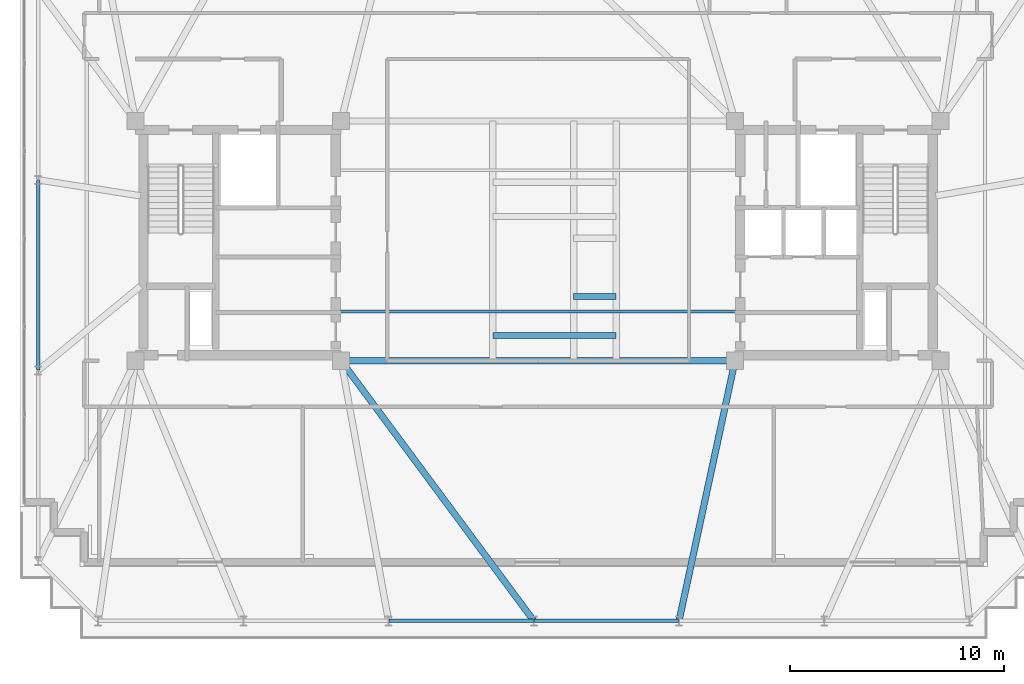
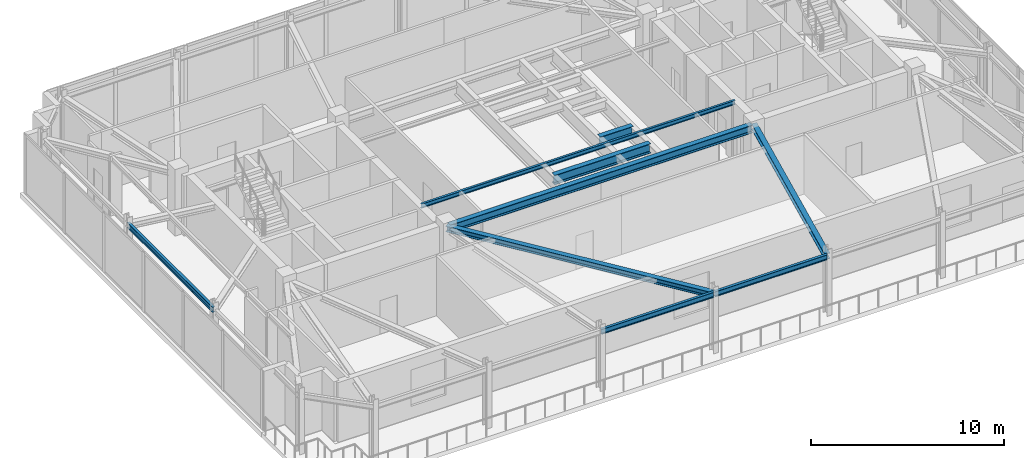
# One storey, part 7 of 24: 9 beams.
"""IFC4 building model written with IfcOpenShell, lengths in metres."""

from ifc_helpers import new_model, si_unit, direction, frame, origin, origin_2d, place, context, subcontext, project, spatial, i_section, extrude, material, material_profile, profile_set, type_object, element, save


model = new_model("IFC4")

# Units and contexts
model_context = context("Model", 3, precision=1e-05, world=origin(), true_north=direction((0.0, 1.0)))
body_context = subcontext(model_context, "Body", "Model", "MODEL_VIEW")
ifc_project = project(units=[si_unit("LENGTHUNIT", "METRE"), si_unit("AREAUNIT", "SQUARE_METRE"), si_unit("VOLUMEUNIT", "CUBIC_METRE"), si_unit("PLANEANGLEUNIT", "RADIAN"), si_unit("MASSUNIT", "GRAM", prefix="KILO")], contexts=[model_context])

# Site, building, storey
site_placement = place(None, origin())
site = spatial("IfcSite", under=ifc_project, at=site_placement, CompositionType="ELEMENT")
building_placement = place(site_placement, origin())
building = spatial("IfcBuilding", under=site, at=building_placement, Name="Qobustan Lattice House", CompositionType="ELEMENT")
storey_placement = place(building_placement, frame((0.0, 0.0, 261.800048828125)))
storey = spatial("IfcBuildingStorey", under=building, at=storey_placement, Name="L74", CompositionType="ELEMENT", Elevation=261.800048828125)

# Beams
ifc_material_1 = material(Name="Steel S355", Category="steel")
ifc_material_profile_1 = material_profile(ifc_material_1, i_section(OverallWidth=0.300048828125, OverallDepth=0.5, WebThickness=0.014404296875, FlangeThickness=0.028076171875, FilletRadius=0.027099609375, at=origin_2d()), Name="HEB500")
ifc_profile_set_1 = profile_set([ifc_material_profile_1], Name="Steel S355")
beam_type_1 = type_object("IfcBeamType", Name="BM-CG-HEB500", PredefinedType="USERDEFINED", material=ifc_profile_set_1)
beam_1_placement = place(storey_placement, frame((-9.050048828125, -5.60009765625, 3.530029296875), z_axis=(1.0, 0.0, 0.0), x_axis=(0.0, 1.0, 0.0)))
element("IfcBeam", 1, at=beam_1_placement, inside=storey, type_object=beam_type_1, Name="L74 core spine girder CG-CS", ObjectType="GIRDER", PredefinedType="USERDEFINED", context=body_context, shape_type="SweptSolid", body=[
    extrude(i_section(OverallWidth=0.300048828125, OverallDepth=0.5, WebThickness=0.014404296875, FlangeThickness=0.028076171875, FilletRadius=0.027099609375, at=origin_2d()), origin(), (0.0, 0.0, 1.0), 18.10009765625),
])
ifc_material_2 = material(Name="Steel S355", Category="steel")
ifc_material_profile_2 = material_profile(ifc_material_2, i_section(OverallWidth=0.300048828125, OverallDepth=0.360107421875, WebThickness=0.012451171875, FlangeThickness=0.0224609375, FilletRadius=0.027099609375, at=origin_2d()), Name="HEB360")
ifc_profile_set_2 = profile_set([ifc_material_profile_2], Name="Steel S355")
beam_type_2 = type_object("IfcBeamType", Name="BM-FLG-HEB360", PredefinedType="USERDEFINED", material=ifc_profile_set_2)
beam_2_placement = place(storey_placement, frame((-0.21484375, -17.72998046875, 3.599853515625), z_axis=(-0.595225226069, 0.803558915233, 0.0), x_axis=(-0.803558915233, -0.595225226069, 0.0)))
element("IfcBeam", 2, at=beam_2_placement, inside=storey, type_object=beam_type_2, Name="L74 primary floor girder RAD-S4", ObjectType="GIRDER", PredefinedType="USERDEFINED", context=body_context, shape_type="SweptSolid", body=[
    extrude(i_section(OverallWidth=0.300048828125, OverallDepth=0.360107421875, WebThickness=0.012451171875, FlangeThickness=0.0224609375, FilletRadius=0.027099609375, at=origin_2d()), origin(), (0.0, 0.0, 1.0), 15.0703125),
])
beam_3_placement = place(storey_placement, frame((6.588623046875, -17.7255859375, 3.599853515625), z_axis=(0.210523018319, 0.977588900693, 0.0), x_axis=(-0.977588900693, 0.210523018319, 0.0)))
element("IfcBeam", 3, at=beam_3_placement, inside=storey, type_object=beam_type_2, Name="L74 primary floor girder RAD-S5", ObjectType="GIRDER", PredefinedType="USERDEFINED", context=body_context, shape_type="SweptSolid", body=[
    extrude(i_section(OverallWidth=0.300048828125, OverallDepth=0.360107421875, WebThickness=0.012451171875, FlangeThickness=0.0224609375, FilletRadius=0.027099609375, at=origin_2d()), origin(), (0.0, 0.0, 1.0), 12.37841796875),
])
ifc_material_3 = material(Name="Steel S355", Category="steel")
ifc_material_profile_3 = material_profile(ifc_material_3, i_section(OverallWidth=0.135009765625, OverallDepth=0.27001953125, WebThickness=0.006591796875, FlangeThickness=0.01025390625, FilletRadius=0.014892578125, at=origin_2d()), Name="IPE270")
ifc_profile_set_3 = profile_set([ifc_material_profile_3], Name="Steel S355")
beam_type_3 = type_object("IfcBeamType", Name="BM-JST-IPE270", PredefinedType="JOIST", material=ifc_profile_set_3)
beam_4_placement = place(storey_placement, frame((-9.39990234375, -3.300048828125, 3.64501953125), z_axis=(1.0, 0.0, 0.0), x_axis=(0.0, 1.0, 0.0)))
element("IfcBeam", 4, at=beam_4_placement, inside=storey, type_object=beam_type_3, Name="L74 central span floor joist 1", PredefinedType="JOIST", context=body_context, shape_type="SweptSolid", body=[
    extrude(i_section(OverallWidth=0.135009765625, OverallDepth=0.27001953125, WebThickness=0.006591796875, FlangeThickness=0.01025390625, FilletRadius=0.014892578125, at=origin_2d()), origin(), (0.0, 0.0, 1.0), 18.7998046875),
])
ifc_material_4 = material(Name="Steel S355", Category="steel")
ifc_material_profile_4 = material_profile(ifc_material_4, i_section(OverallWidth=0.300048828125, OverallDepth=0.60009765625, WebThickness=0.015380859375, FlangeThickness=0.030029296875, FilletRadius=0.027099609375, at=origin_2d()), Name="HEB600")
ifc_profile_set_4 = profile_set([ifc_material_profile_4], Name="Steel S355")
beam_type_4 = type_object("IfcBeamType", Name="BM-POD-HEB600", PredefinedType="USERDEFINED", material=ifc_profile_set_4)
beam_5_placement = place(storey_placement, frame((-2.110107421875, -4.419921875, 3.47998046875), z_axis=(1.0, 0.0, 0.0), x_axis=(0.0, 1.0, 0.0)))
element("IfcBeam", 5, at=beam_5_placement, inside=storey, type_object=beam_type_4, Name="L74 crown stair cross support beam S", ObjectType="GIRDER", PredefinedType="USERDEFINED", context=body_context, shape_type="SweptSolid", body=[
    extrude(i_section(OverallWidth=0.300048828125, OverallDepth=0.60009765625, WebThickness=0.015380859375, FlangeThickness=0.030029296875, FilletRadius=0.027099609375, at=origin_2d()), origin(), (0.0, 0.0, 1.0), 5.75),
])
beam_6_placement = place(storey_placement, frame((1.659912109375, -2.60009765625, 3.47998046875), z_axis=(1.0, 0.0, 0.0), x_axis=(0.0, 1.0, 0.0)))
element("IfcBeam", 6, at=beam_6_placement, inside=storey, type_object=beam_type_4, Name="L74 crown firefighting lift cross support beam FS", ObjectType="GIRDER", PredefinedType="USERDEFINED", context=body_context, shape_type="SweptSolid", body=[
    extrude(i_section(OverallWidth=0.300048828125, OverallDepth=0.60009765625, WebThickness=0.015380859375, FlangeThickness=0.030029296875, FilletRadius=0.027099609375, at=origin_2d()), origin(), (0.0, 0.0, 1.0), 1.97998046875),
])
ifc_material_5 = material(Name="Steel S355", Category="steel")
ifc_material_profile_5 = material_profile(ifc_material_5, i_section(OverallWidth=0.159912109375, OverallDepth=0.330078125, WebThickness=0.007568359375, FlangeThickness=0.011474609375, FilletRadius=0.01806640625, at=origin_2d()), Name="IPE330")
ifc_profile_set_5 = profile_set([ifc_material_profile_5], Name="Steel S355")
beam_type_5 = type_object("IfcBeamType", Name="BM-SPD-IPE330", PredefinedType="SPANDREL", material=ifc_profile_set_5)
beam_7_placement = place(storey_placement, frame((-6.958251953125, -17.75, 3.614990234375), z_axis=(1.0, 0.0, 0.0), x_axis=(0.0, 1.0, 0.0)))
element("IfcBeam", 7, at=beam_7_placement, inside=storey, type_object=beam_type_5, Name="L74 perimeter spandrel S3-S4", PredefinedType="SPANDREL", context=body_context, shape_type="SweptSolid", body=[
    extrude(i_section(OverallWidth=0.159912109375, OverallDepth=0.330078125, WebThickness=0.007568359375, FlangeThickness=0.011474609375, FilletRadius=0.01806640625, at=origin_2d()), origin(), (0.0, 0.0, 1.0), 6.733154296875),
])
beam_8_placement = place(storey_placement, frame((-0.175048828125, -17.75, 3.614990234375), z_axis=(1.0, 0.0, 0.0), x_axis=(0.0, 1.0, 0.0)))
element("IfcBeam", 8, at=beam_8_placement, inside=storey, type_object=beam_type_5, Name="L74 perimeter spandrel S4-S5", PredefinedType="SPANDREL", context=body_context, shape_type="SweptSolid", body=[
    extrude(i_section(OverallWidth=0.159912109375, OverallDepth=0.330078125, WebThickness=0.007568359375, FlangeThickness=0.011474609375, FilletRadius=0.01806640625, at=origin_2d()), origin(), (0.0, 0.0, 1.0), 6.7333984375),
])
beam_9_placement = place(storey_placement, frame((-23.35009765625, 2.824951171875, 3.614990234375), z_axis=(0.0, -1.0, 0.0), x_axis=(1.0, 0.0, 0.0)))
element("IfcBeam", 9, at=beam_9_placement, inside=storey, type_object=beam_type_5, Name="L74 perimeter spandrel W2-W3", PredefinedType="SPANDREL", context=body_context, shape_type="SweptSolid", body=[
    extrude(i_section(OverallWidth=0.159912109375, OverallDepth=0.330078125, WebThickness=0.007568359375, FlangeThickness=0.011474609375, FilletRadius=0.01806640625, at=origin_2d()), origin(), (0.0, 0.0, 1.0), 8.849853515625),
])

save(model, "model.ifc")
